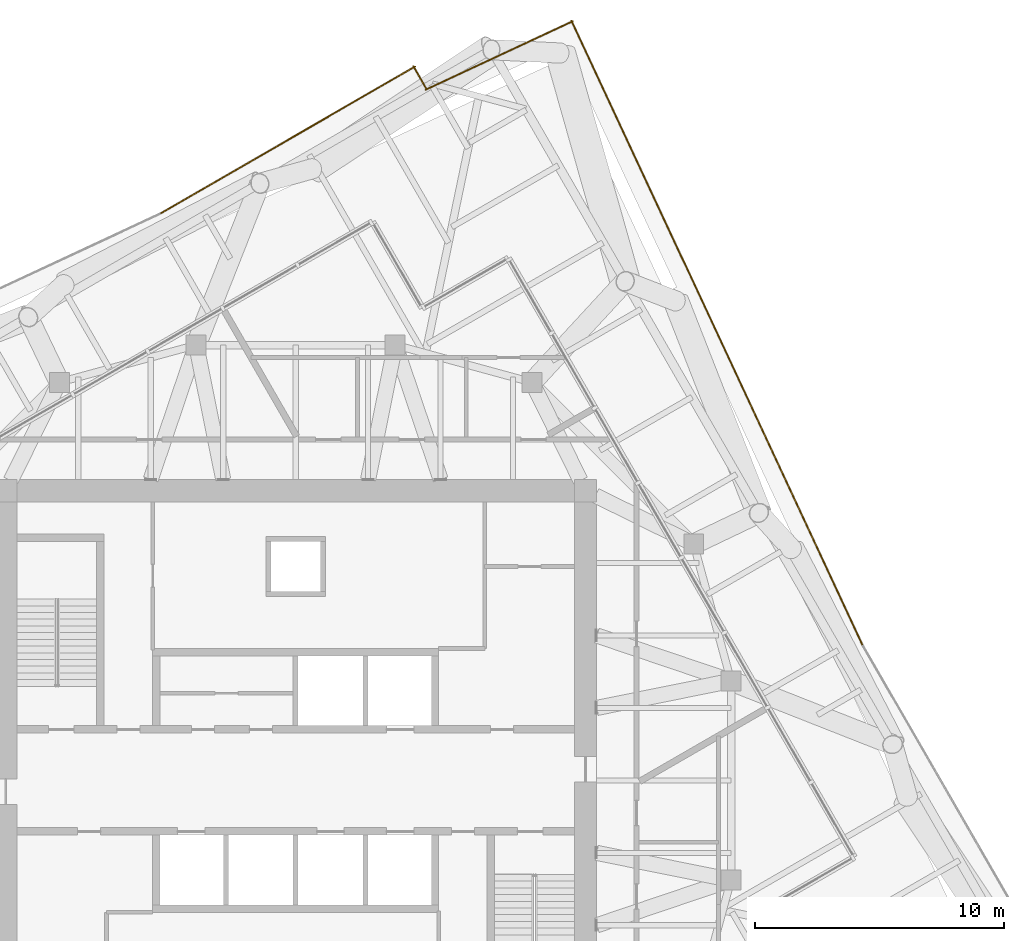
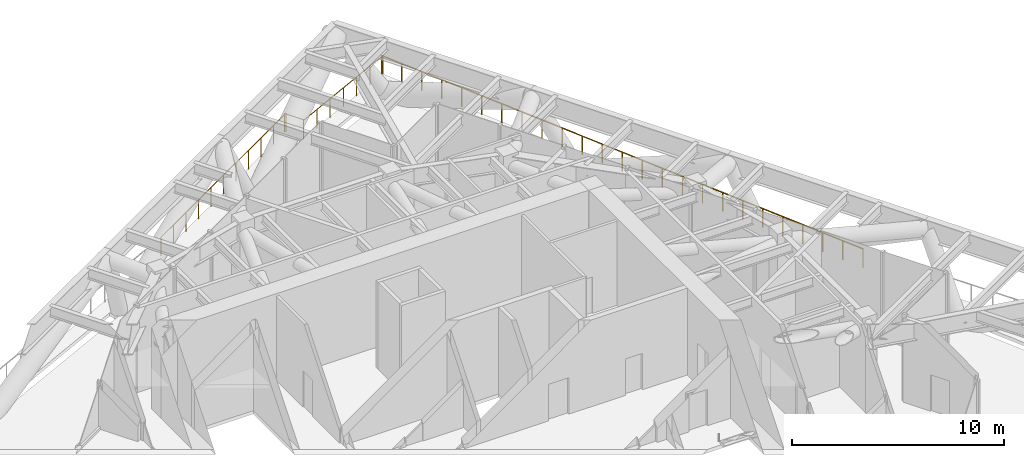
# One storey, part 12 of 12: 4 railings.
"""IFC4 building model written with IfcOpenShell, lengths in metres."""

from ifc_helpers import new_model, si_unit, direction, frame, origin, origin_2d, place, context, subcontext, project, spatial, circle, extrude, material, type_object, element, save


model = new_model("IFC4")

# Units and contexts
model_context = context("Model", 3, precision=1e-05, world=origin(), true_north=direction((0.0, 1.0)))
body_context = subcontext(model_context, "Body", "Model", "MODEL_VIEW")
ifc_project = project(units=[si_unit("LENGTHUNIT", "METRE"), si_unit("AREAUNIT", "SQUARE_METRE"), si_unit("VOLUMEUNIT", "CUBIC_METRE"), si_unit("PLANEANGLEUNIT", "RADIAN"), si_unit("MASSUNIT", "GRAM", prefix="KILO")], contexts=[model_context])

# Site, building, storey
site_placement = place(None, origin())
site = spatial("IfcSite", under=ifc_project, at=site_placement, CompositionType="ELEMENT")
building_placement = place(site_placement, origin())
building = spatial("IfcBuilding", under=site, at=building_placement, Name="Torsade Residences", CompositionType="ELEMENT")
storey_placement = place(building_placement, frame((0.0, 0.0, 203.199951171875)))
storey = spatial("IfcBuildingStorey", under=building, at=storey_placement, Name="L56", CompositionType="ELEMENT", Elevation=203.199951171875)

# Railings
ifc_material = material(Name="Galvanised steel guard rail", Category="steel")
railing_type = type_object("IfcRailingType", Name="ROOF EDGE GUARD 1100", PredefinedType="GUARDRAIL", material=ifc_material)
railing_1_placement = place(storey_placement, frame((62.7998046875, 35.409912109375, 0.0)))
element("IfcRailing", 1, at=railing_1_placement, inside=storey, type_object=railing_type, Name="Roof edge guard L56 8", PredefinedType="GUARDRAIL", context=body_context, shape_type="SweptSolid", body=[
    extrude(circle(Radius=0.02392578125, at=origin_2d()), frame((0.0, 0.0, 1.076171875), z_axis=(-0.422615561614, 0.906309046122, 0.0), x_axis=(-0.906309046122, -0.422615561614, 0.0)), (0.0, 0.0, 1.0), 27.732666015625),
    extrude(circle(Radius=0.02099609375, at=origin_2d()), origin(), (0.0, 0.0, 1.0), 1.052001953125),
    extrude(circle(Radius=0.02099609375, at=origin_2d()), frame((-0.48828125, 1.04736328125, 0.0)), (0.0, 0.0, 1.0), 1.052001953125),
    extrude(circle(Radius=0.02099609375, at=origin_2d()), frame((-0.9765625, 2.094482421875, 0.0)), (0.0, 0.0, 1.0), 1.052001953125),
    extrude(circle(Radius=0.02099609375, at=origin_2d()), frame((-1.465087890625, 3.141845703125, 0.0)), (0.0, 0.0, 1.0), 1.052001953125),
    extrude(circle(Radius=0.02099609375, at=origin_2d()), frame((-1.953369140625, 4.18896484375, 0.0)), (0.0, 0.0, 1.0), 1.052001953125),
    extrude(circle(Radius=0.02099609375, at=origin_2d()), frame((-2.441650390625, 5.236328125, 0.0)), (0.0, 0.0, 1.0), 1.052001953125),
    extrude(circle(Radius=0.02099609375, at=origin_2d()), frame((-2.93017578125, 6.28369140625, 0.0)), (0.0, 0.0, 1.0), 1.052001953125),
    extrude(circle(Radius=0.02099609375, at=origin_2d()), frame((-3.41845703125, 7.330810546875, 0.0)), (0.0, 0.0, 1.0), 1.052001953125),
    extrude(circle(Radius=0.02099609375, at=origin_2d()), frame((-3.90673828125, 8.378173828125, 0.0)), (0.0, 0.0, 1.0), 1.052001953125),
    extrude(circle(Radius=0.02099609375, at=origin_2d()), frame((-4.39501953125, 9.42529296875, 0.0)), (0.0, 0.0, 1.0), 1.052001953125),
    extrude(circle(Radius=0.02099609375, at=origin_2d()), frame((-4.88330078125, 10.47265625, 0.0)), (0.0, 0.0, 1.0), 1.052001953125),
    extrude(circle(Radius=0.02099609375, at=origin_2d()), frame((-5.371826171875, 11.519775390625, 0.0)), (0.0, 0.0, 1.0), 1.052001953125),
    extrude(circle(Radius=0.02099609375, at=origin_2d()), frame((-5.860107421875, 12.567138671875, 0.0)), (0.0, 0.0, 1.0), 1.052001953125),
    extrude(circle(Radius=0.02099609375, at=origin_2d()), frame((-6.348388671875, 13.614501953125, 0.0)), (0.0, 0.0, 1.0), 1.052001953125),
    extrude(circle(Radius=0.02099609375, at=origin_2d()), frame((-6.8369140625, 14.66162109375, 0.0)), (0.0, 0.0, 1.0), 1.052001953125),
    extrude(circle(Radius=0.02099609375, at=origin_2d()), frame((-7.3251953125, 15.708984375, 0.0)), (0.0, 0.0, 1.0), 1.052001953125),
    extrude(circle(Radius=0.02099609375, at=origin_2d()), frame((-7.8134765625, 16.756103515625, 0.0)), (0.0, 0.0, 1.0), 1.052001953125),
    extrude(circle(Radius=0.02099609375, at=origin_2d()), frame((-8.3017578125, 17.803466796875, 0.0)), (0.0, 0.0, 1.0), 1.052001953125),
    extrude(circle(Radius=0.02099609375, at=origin_2d()), frame((-8.7900390625, 18.8505859375, 0.0)), (0.0, 0.0, 1.0), 1.052001953125),
    extrude(circle(Radius=0.02099609375, at=origin_2d()), frame((-9.278564453125, 19.89794921875, 0.0)), (0.0, 0.0, 1.0), 1.052001953125),
    extrude(circle(Radius=0.02099609375, at=origin_2d()), frame((-9.766845703125, 20.9453125, 0.0)), (0.0, 0.0, 1.0), 1.052001953125),
    extrude(circle(Radius=0.02099609375, at=origin_2d()), frame((-10.255126953125, 21.992431640625, 0.0)), (0.0, 0.0, 1.0), 1.052001953125),
    extrude(circle(Radius=0.02099609375, at=origin_2d()), frame((-10.74365234375, 23.039794921875, 0.0)), (0.0, 0.0, 1.0), 1.052001953125),
    extrude(circle(Radius=0.02099609375, at=origin_2d()), frame((-11.23193359375, 24.0869140625, 0.0)), (0.0, 0.0, 1.0), 1.052001953125),
    extrude(circle(Radius=0.02099609375, at=origin_2d()), frame((-11.72021484375, 25.13427734375, 0.0)), (0.0, 0.0, 1.0), 1.052001953125),
])
railing_2_placement = place(storey_placement, frame((51.14599609375, 60.52001953125, 0.0)))
element("IfcRailing", 2, at=railing_2_placement, inside=storey, type_object=railing_type, Name="Roof edge guard L56 9", PredefinedType="GUARDRAIL", context=body_context, shape_type="SweptSolid", body=[
    extrude(circle(Radius=0.02392578125, at=origin_2d()), frame((0.0, 0.0, 1.076171875), z_axis=(-0.906312934471, -0.422607222856, 0.0), x_axis=(0.422607222856, -0.906312934471, 0.0)), (0.0, 0.0, 1.0), 6.533203125),
    extrude(circle(Radius=0.02099609375, at=origin_2d()), origin(), (0.0, 0.0, 1.0), 1.052001953125),
    extrude(circle(Radius=0.02099609375, at=origin_2d()), frame((-0.98681640625, -0.460205078125, 0.0)), (0.0, 0.0, 1.0), 1.052001953125),
    extrude(circle(Radius=0.02099609375, at=origin_2d()), frame((-1.9736328125, -0.92041015625, 0.0)), (0.0, 0.0, 1.0), 1.052001953125),
    extrude(circle(Radius=0.02099609375, at=origin_2d()), frame((-2.96044921875, -1.38037109375, 0.0)), (0.0, 0.0, 1.0), 1.052001953125),
    extrude(circle(Radius=0.02099609375, at=origin_2d()), frame((-3.947509765625, -1.840576171875, 0.0)), (0.0, 0.0, 1.0), 1.052001953125),
    extrude(circle(Radius=0.02099609375, at=origin_2d()), frame((-4.934326171875, -2.30078125, 0.0)), (0.0, 0.0, 1.0), 1.052001953125),
    extrude(circle(Radius=0.02099609375, at=origin_2d()), frame((-5.921142578125, -2.760986328125, 0.0)), (0.0, 0.0, 1.0), 1.052001953125),
])
railing_3_placement = place(storey_placement, frame((45.243408203125, 57.81787109375, 0.0)))
element("IfcRailing", 3, at=railing_3_placement, inside=storey, type_object=railing_type, Name="Roof edge guard L56 10", PredefinedType="GUARDRAIL", context=body_context, shape_type="SweptSolid", body=[
    extrude(circle(Radius=0.02392578125, at=origin_2d()), frame((0.0, 0.0, 1.076171875), z_axis=(-0.49975662701, 0.866165869657, 0.0), x_axis=(-0.866165869657, -0.49975662701, 0.0)), (0.0, 0.0, 1.0), 1.03076171875),
    extrude(circle(Radius=0.02099609375, at=origin_2d()), origin(), (0.0, 0.0, 1.0), 1.052001953125),
    extrude(circle(Radius=0.02099609375, at=origin_2d()), frame((-0.51513671875, 0.892822265625, 0.0)), (0.0, 0.0, 1.0), 1.052001953125),
])
railing_4_placement = place(storey_placement, frame((44.79638671875, 58.6923828125, 0.0)))
element("IfcRailing", 4, at=railing_4_placement, inside=storey, type_object=railing_type, Name="Roof edge guard L56 11", PredefinedType="GUARDRAIL", context=body_context, shape_type="SweptSolid", body=[
    extrude(circle(Radius=0.02392578125, at=origin_2d()), frame((0.0, 0.0, 1.076171875), z_axis=(-0.86602137294, -0.500006981563, 0.0), x_axis=(0.500006981563, -0.86602137294, 0.0)), (0.0, 0.0, 1.0), 11.784912109375),
    extrude(circle(Radius=0.02099609375, at=origin_2d()), origin(), (0.0, 0.0, 1.0), 1.052001953125),
    extrude(circle(Radius=0.02099609375, at=origin_2d()), frame((-1.0205078125, -0.58935546875, 0.0)), (0.0, 0.0, 1.0), 1.052001953125),
    extrude(circle(Radius=0.02099609375, at=origin_2d()), frame((-2.041259765625, -1.178466796875, 0.0)), (0.0, 0.0, 1.0), 1.052001953125),
    extrude(circle(Radius=0.02099609375, at=origin_2d()), frame((-3.061767578125, -1.767822265625, 0.0)), (0.0, 0.0, 1.0), 1.052001953125),
    extrude(circle(Radius=0.02099609375, at=origin_2d()), frame((-4.08251953125, -2.35693359375, 0.0)), (0.0, 0.0, 1.0), 1.052001953125),
    extrude(circle(Radius=0.02099609375, at=origin_2d()), frame((-5.10302734375, -2.9462890625, 0.0)), (0.0, 0.0, 1.0), 1.052001953125),
    extrude(circle(Radius=0.02099609375, at=origin_2d()), frame((-6.12353515625, -3.53564453125, 0.0)), (0.0, 0.0, 1.0), 1.052001953125),
    extrude(circle(Radius=0.02099609375, at=origin_2d()), frame((-7.144287109375, -4.124755859375, 0.0)), (0.0, 0.0, 1.0), 1.052001953125),
    extrude(circle(Radius=0.02099609375, at=origin_2d()), frame((-8.164794921875, -4.714111328125, 0.0)), (0.0, 0.0, 1.0), 1.052001953125),
    extrude(circle(Radius=0.02099609375, at=origin_2d()), frame((-9.185546875, -5.30322265625, 0.0)), (0.0, 0.0, 1.0), 1.052001953125),
    extrude(circle(Radius=0.02099609375, at=origin_2d()), frame((-10.2060546875, -5.892578125, 0.0)), (0.0, 0.0, 1.0), 1.052001953125),
])

save(model, "model.ifc")
